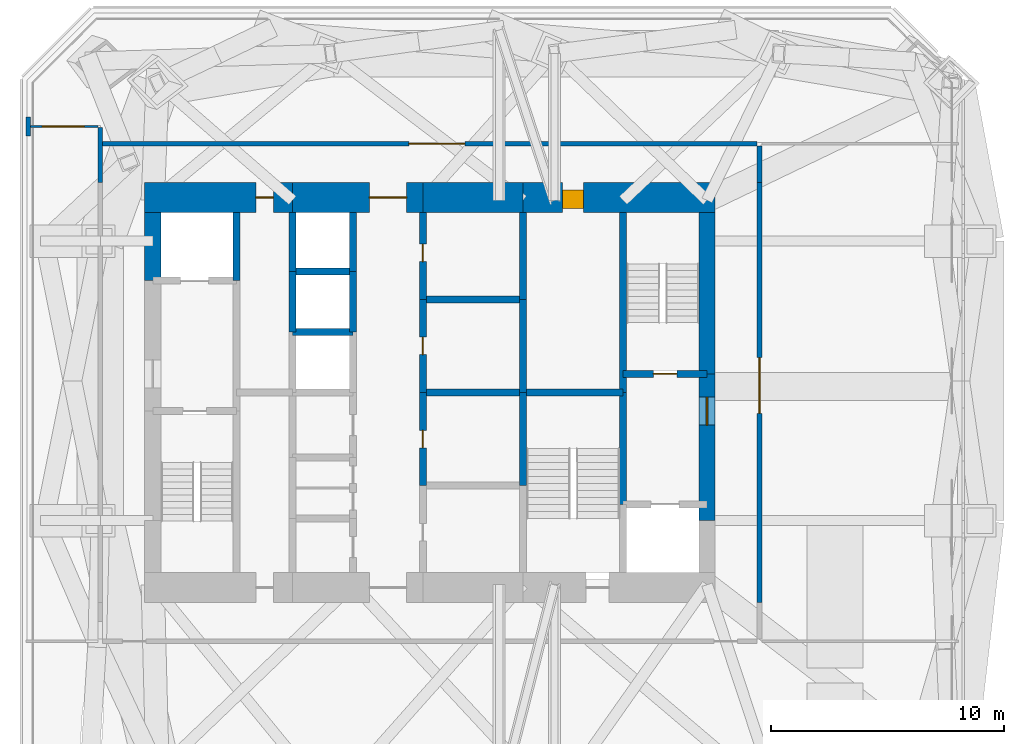
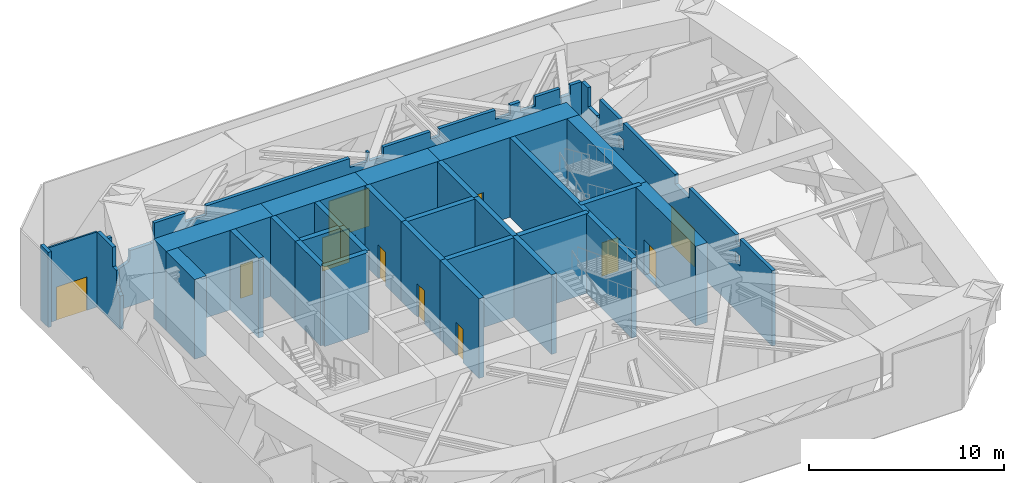
# One storey, part 5 of 9: 32 walls, 11 doors, 11 openings.
"""IFC4 building model written with IfcOpenShell, lengths in metres."""

from ifc_helpers import new_model, si_unit, direction, frame, frame_2d, origin, place, context, subcontext, project, spatial, polyline, rectangle, outline, extrude, material, layer, layer_set, constituent, constituent_set, type_object, element, fill, save


model = new_model("IFC4")

# Units and contexts
model_context = context("Model", 3, precision=1e-05, world=origin(), true_north=direction((0.0, 1.0)))
body_context = subcontext(model_context, "Body", "Model", "MODEL_VIEW")
ifc_project = project(units=[si_unit("LENGTHUNIT", "METRE"), si_unit("AREAUNIT", "SQUARE_METRE"), si_unit("VOLUMEUNIT", "CUBIC_METRE"), si_unit("PLANEANGLEUNIT", "RADIAN"), si_unit("MASSUNIT", "GRAM", prefix="KILO")], contexts=[model_context])

# Site, building, storey
site_placement = place(None, origin())
site = spatial("IfcSite", under=ifc_project, at=site_placement, CompositionType="ELEMENT")
building_placement = place(site_placement, origin())
building = spatial("IfcBuilding", under=site, at=building_placement, Name="Jalousie Tower", CompositionType="ELEMENT")
storey_placement = place(building_placement, frame((0.0, 0.0, 212.949951171875)))
storey = spatial("IfcBuildingStorey", under=building, at=storey_placement, Name="L58", CompositionType="ELEMENT", Elevation=212.949951171875)

# Wall, opening, door
ifc_material_1 = material(Name="Concrete f'c 120 MPa", Category="concrete")
ifc_layer_1 = layer(ifc_material_1, 1.300048828125)
ifc_layer_set_1 = layer_set([ifc_layer_1], Name="Concrete f'c 120 MPa")
wall_type_1 = type_object("IfcWallType", Name="CORE WALL 1300", PredefinedType="SHEAR", material=ifc_layer_set_1)
wall_1_placement = place(storey_placement, frame((44.14990234375, 26.875, 0.0), z_axis=(0.0, 0.0, 1.0), x_axis=(-1.0, 0.0, 0.0)))
wall_1 = element("IfcWall", 1, at=wall_1_placement, inside=storey, type_object=wall_type_1, Name="Core wall NA L58", PredefinedType="SHEAR", context=body_context, shape_type="SweptSolid", body=[
    extrude(rectangle(XDim=8.25, YDim=1.300048828125, at=frame_2d((4.125, 0.0))), origin(), (0.0, 0.0, 1.0), 5.0),
])
opening_1_placement = place(wall_1_placement, frame((5.64990234375, 0.0, 0.0)))
opening_1 = element("IfcOpeningElement", 2, at=opening_1_placement, cuts=wall_1, Name="Opening D18", PredefinedType="OPENING", context=body_context, shape_type="SweptSolid", body=[
    extrude(rectangle(XDim=0.89990234375, YDim=2.10009765625, at=frame_2d((0.449951171875, 1.050048828125))), frame((0.0, 0.659912109375, 0.0), z_axis=(0.0, -1.0, 0.0), x_axis=(1.0, 0.0, 0.0)), (0.0, 0.0, 1.0), 1.320068359375),
])
ifc_material_2 = material(Name="Steel fire door", Category="steel")
door_type_1 = type_object("IfcDoorType", Name="CLEANER'S STORE DOOR 900", OperationType="SINGLE_SWING_LEFT", PredefinedType="DOOR", material=ifc_material_2)
door_1_placement = place(opening_1_placement, origin())
door_1 = element("IfcDoor", 3, at=door_1_placement, inside=storey, type_object=door_type_1, Name="Cleaner's store door", OperationType="SINGLE_SWING_RIGHT", OverallHeight=2.10009765625, OverallWidth=0.89990234375, PredefinedType="DOOR", context=body_context, shape_type="SweptSolid", body=[
    extrude(rectangle(XDim=0.89990234375, YDim=2.10009765625, at=frame_2d((0.449951171875, 1.050048828125))), frame((0.0, 0.47021484375, 0.0), z_axis=(0.0, -1.0, 0.0), x_axis=(1.0, 0.0, 0.0)), (0.0, 0.0, 1.0), 0.800048828125),
])
fill(opening_1, door_1)

# Wall
wall_2_placement = place(storey_placement, frame((35.89990234375, 26.875, 0.0), z_axis=(0.0, 0.0, 1.0), x_axis=(-1.0, 0.0, 0.0)))
element("IfcWall", 4, at=wall_2_placement, inside=storey, type_object=wall_type_1, Name="Core wall NB L58", PredefinedType="SHEAR", context=body_context, shape_type="SweptSolid", body=[
    extrude(rectangle(XDim=4.2998046875, YDim=1.300048828125, at=frame_2d((2.14990234375, 0.0))), origin(), (0.0, 0.0, 1.0), 5.0),
])

# Wall, opening, door
wall_3_placement = place(storey_placement, frame((31.60009765625, 26.875, 0.0), z_axis=(0.0, 0.0, 1.0), x_axis=(-1.0, 0.0, 0.0)))
wall_3 = element("IfcWall", 5, at=wall_3_placement, inside=storey, type_object=wall_type_1, Name="Core wall NC L58", PredefinedType="SHEAR", context=body_context, shape_type="SweptSolid", body=[
    extrude(rectangle(XDim=5.60009765625, YDim=1.300048828125, at=frame_2d((2.800048828125, 0.0))), origin(), (0.0, 0.0, 1.0), 5.0),
])
opening_2_placement = place(wall_3_placement, frame((0.699951171875, 0.0, 0.0)))
opening_2 = element("IfcOpeningElement", 6, at=opening_2_placement, cuts=wall_3, Name="Opening D15", PredefinedType="OPENING", context=body_context, shape_type="SweptSolid", body=[
    extrude(rectangle(XDim=1.60009765625, YDim=2.10009765625, at=frame_2d((0.800048828125, 1.050048828125))), frame((0.0, 0.659912109375, 0.0), z_axis=(0.0, -1.0, 0.0), x_axis=(1.0, 0.0, 0.0)), (0.0, 0.0, 1.0), 1.320068359375),
])
ifc_material_3 = material(Name="Steel fire door", Category="steel")
door_type_2 = type_object("IfcDoorType", Name="LIFT LOBBY DOOR 1600", OperationType="DOUBLE_DOOR_SINGLE_SWING", PredefinedType="DOOR", material=ifc_material_3)
door_2_placement = place(opening_2_placement, origin())
door_2 = element("IfcDoor", 7, at=door_2_placement, inside=storey, type_object=door_type_2, Name="Lift lobby north door", OperationType="DOUBLE_DOOR_SINGLE_SWING", OverallHeight=2.10009765625, OverallWidth=1.60009765625, PredefinedType="DOOR", context=body_context, shape_type="SweptSolid", body=[
    extrude(rectangle(XDim=1.60009765625, YDim=2.10009765625, at=frame_2d((0.800048828125, 1.050048828125))), frame((0.0, 0.02490234375, 0.0), z_axis=(0.0, -1.0, 0.0), x_axis=(1.0, 0.0, 0.0)), (0.0, 0.0, 1.0), 0.050048828125),
])
fill(opening_2, door_2)

wall_4_placement = place(storey_placement, frame((26.0, 26.875, 0.0), z_axis=(0.0, 0.0, 1.0), x_axis=(-1.0, 0.0, 0.0)))
wall_4 = element("IfcWall", 8, at=wall_4_placement, inside=storey, type_object=wall_type_1, Name="Core wall ND L58", PredefinedType="SHEAR", context=body_context, shape_type="SweptSolid", body=[
    extrude(rectangle(XDim=6.35009765625, YDim=1.300048828125, at=frame_2d((3.175048828125, 0.0))), origin(), (0.0, 0.0, 1.0), 5.0),
])
opening_3_placement = place(wall_4_placement, frame((0.824951171875, 0.0, 0.0)))
opening_3 = element("IfcOpeningElement", 9, at=opening_3_placement, cuts=wall_4, Name="Opening D16", PredefinedType="OPENING", context=body_context, shape_type="SweptSolid", body=[
    extrude(rectangle(XDim=0.75, YDim=2.10009765625, at=frame_2d((0.375, 1.050048828125))), frame((0.0, 0.659912109375, 0.0), z_axis=(0.0, -1.0, 0.0), x_axis=(1.0, 0.0, 0.0)), (0.0, 0.0, 1.0), 1.320068359375),
])
ifc_material_4 = material(Name="Steel fire door", Category="steel")
door_type_3 = type_object("IfcDoorType", Name="RISER DOOR 750", OperationType="SINGLE_SWING_LEFT", PredefinedType="DOOR", material=ifc_material_4)
door_3_placement = place(opening_3_placement, origin())
door_3 = element("IfcDoor", 10, at=door_3_placement, inside=storey, type_object=door_type_3, Name="North riser door", OperationType="SINGLE_SWING_RIGHT", OverallHeight=2.10009765625, OverallWidth=0.75, PredefinedType="DOOR", context=body_context, shape_type="SweptSolid", body=[
    extrude(rectangle(XDim=0.75, YDim=2.10009765625, at=frame_2d((0.375, 1.050048828125))), frame((0.0, 0.02490234375, 0.0), z_axis=(0.0, -1.0, 0.0), x_axis=(1.0, 0.0, 0.0)), (0.0, 0.0, 1.0), 0.050048828125),
])
fill(opening_3, door_3)

# Walls
ifc_material_5 = material(Name="Concrete f'c 120 MPa", Category="concrete")
ifc_layer_2 = layer(ifc_material_5, 0.300048828125)
ifc_layer_set_2 = layer_set([ifc_layer_2], Name="Concrete f'c 120 MPa")
wall_type_2 = type_object("IfcWallType", Name="CORE WALL 300", PredefinedType="SHEAR", material=ifc_layer_set_2)
wall_5_placement = place(storey_placement, frame((23.60009765625, 23.300048828125, 0.0), z_axis=(0.0, 0.0, 1.0), x_axis=(0.0, 1.0, 0.0)))
element("IfcWall", 11, at=wall_5_placement, inside=storey, type_object=wall_type_2, Name="Core wall X23.6C L58", PredefinedType="SHEAR", context=body_context, shape_type="SweptSolid", body=[
    extrude(rectangle(XDim=2.925048828125, YDim=0.300048828125, at=frame_2d((1.46240234375, 0.0))), origin(), (0.0, 0.0, 1.0), 5.0),
])
wall_6_placement = place(storey_placement, frame((26.0, 21.10009765625, 0.0), z_axis=(0.0, 0.0, 1.0), x_axis=(0.0, 1.0, 0.0)))
element("IfcWall", 12, at=wall_6_placement, inside=storey, type_object=wall_type_2, Name="Core wall X26E L58", PredefinedType="SHEAR", context=body_context, shape_type="SweptSolid", body=[
    extrude(rectangle(XDim=2.599853515625, YDim=0.300048828125, at=frame_2d((1.2998046875, 0.0))), origin(), (0.0, 0.0, 1.0), 5.0),
])
wall_7_placement = place(storey_placement, frame((26.0, 23.699951171875, 0.0), z_axis=(0.0, 0.0, 1.0), x_axis=(0.0, 1.0, 0.0)))
element("IfcWall", 13, at=wall_7_placement, inside=storey, type_object=wall_type_2, Name="Core wall X26F L58", PredefinedType="SHEAR", context=body_context, shape_type="SweptSolid", body=[
    extrude(rectangle(XDim=2.525146484375, YDim=0.300048828125, at=frame_2d((1.2626953125, 0.0))), origin(), (0.0, 0.0, 1.0), 5.0),
])
wall_8_placement = place(storey_placement, frame((28.60009765625, 21.10009765625, 0.0), z_axis=(0.0, 0.0, 1.0), x_axis=(0.0, 1.0, 0.0)))
element("IfcWall", 14, at=wall_8_placement, inside=storey, type_object=wall_type_2, Name="Core wall X28.6E L58", PredefinedType="SHEAR", context=body_context, shape_type="SweptSolid", body=[
    extrude(rectangle(XDim=2.599853515625, YDim=0.300048828125, at=frame_2d((1.2998046875, 0.0))), origin(), (0.0, 0.0, 1.0), 5.0),
])
wall_9_placement = place(storey_placement, frame((28.60009765625, 23.699951171875, 0.0), z_axis=(0.0, 0.0, 1.0), x_axis=(0.0, 1.0, 0.0)))
element("IfcWall", 15, at=wall_9_placement, inside=storey, type_object=wall_type_2, Name="Core wall X28.6F L58", PredefinedType="SHEAR", context=body_context, shape_type="SweptSolid", body=[
    extrude(rectangle(XDim=2.525146484375, YDim=0.300048828125, at=frame_2d((1.2626953125, 0.0))), origin(), (0.0, 0.0, 1.0), 5.0),
])

# Wall, opening, door
wall_10_placement = place(storey_placement, frame((31.60009765625, 14.5, 0.0), z_axis=(0.0, 0.0, 1.0), x_axis=(0.0, 1.0, 0.0)))
wall_10 = element("IfcWall", 16, at=wall_10_placement, inside=storey, type_object=wall_type_2, Name="Core wall X31.6B L58", PredefinedType="SHEAR", context=body_context, shape_type="SweptSolid", body=[
    extrude(rectangle(XDim=4.0, YDim=0.300048828125, at=frame_2d((2.0, 0.0))), origin(), (0.0, 0.0, 1.0), 5.0),
])
opening_4_placement = place(wall_10_placement, frame((1.625, 0.0, 0.0)))
opening_4 = element("IfcOpeningElement", 17, at=opening_4_placement, cuts=wall_10, Name="Opening D16", PredefinedType="OPENING", context=body_context, shape_type="SweptSolid", body=[
    extrude(rectangle(XDim=0.75, YDim=2.10009765625, at=frame_2d((0.375, 1.050048828125))), frame((0.0, 0.159912109375, 0.0), z_axis=(0.0, -1.0, 0.0), x_axis=(1.0, 0.0, 0.0)), (0.0, 0.0, 1.0), 0.320068359375),
])
door_4_placement = place(opening_4_placement, frame((0.75, 0.0, 0.0), z_axis=(0.0, 0.0, 1.0), x_axis=(-1.0, 0.0, 0.0)))
door_4 = element("IfcDoor", 18, at=door_4_placement, inside=storey, type_object=door_type_3, Name="Electrical Room door", OperationType="SINGLE_SWING_RIGHT", OverallHeight=2.10009765625, OverallWidth=0.75, PredefinedType="DOOR", context=body_context, shape_type="SweptSolid", body=[
    extrude(rectangle(XDim=0.75, YDim=2.10009765625, at=frame_2d((0.375, 1.050048828125))), frame((0.0, 0.02490234375, 0.0), z_axis=(0.0, -1.0, 0.0), x_axis=(1.0, 0.0, 0.0)), (0.0, 0.0, 1.0), 0.050048828125),
])
fill(opening_4, door_4)

wall_11_placement = place(storey_placement, frame((31.60009765625, 18.5, 0.0), z_axis=(0.0, 0.0, 1.0), x_axis=(0.0, 1.0, 0.0)))
wall_11 = element("IfcWall", 19, at=wall_11_placement, inside=storey, type_object=wall_type_2, Name="Core wall X31.6C L58", PredefinedType="SHEAR", context=body_context, shape_type="SweptSolid", body=[
    extrude(rectangle(XDim=4.0, YDim=0.300048828125, at=frame_2d((2.0, 0.0))), origin(), (0.0, 0.0, 1.0), 5.0),
])
opening_5_placement = place(wall_11_placement, frame((1.625, 0.0, 0.0)))
opening_5 = element("IfcOpeningElement", 20, at=opening_5_placement, cuts=wall_11, Name="Opening D16", PredefinedType="OPENING", context=body_context, shape_type="SweptSolid", body=[
    extrude(rectangle(XDim=0.75, YDim=2.10009765625, at=frame_2d((0.375, 1.050048828125))), frame((0.0, 0.159912109375, 0.0), z_axis=(0.0, -1.0, 0.0), x_axis=(1.0, 0.0, 0.0)), (0.0, 0.0, 1.0), 0.320068359375),
])
door_5_placement = place(opening_5_placement, frame((0.75, 0.0, 0.0), z_axis=(0.0, 0.0, 1.0), x_axis=(-1.0, 0.0, 0.0)))
door_5 = element("IfcDoor", 21, at=door_5_placement, inside=storey, type_object=door_type_3, Name="Telecom Room door", OperationType="SINGLE_SWING_RIGHT", OverallHeight=2.10009765625, OverallWidth=0.75, PredefinedType="DOOR", context=body_context, shape_type="SweptSolid", body=[
    extrude(rectangle(XDim=0.75, YDim=2.10009765625, at=frame_2d((0.375, 1.050048828125))), frame((0.0, 0.02490234375, 0.0), z_axis=(0.0, -1.0, 0.0), x_axis=(1.0, 0.0, 0.0)), (0.0, 0.0, 1.0), 0.050048828125),
])
fill(opening_5, door_5)

wall_12_placement = place(storey_placement, frame((31.60009765625, 22.5, 0.0), z_axis=(0.0, 0.0, 1.0), x_axis=(0.0, 1.0, 0.0)))
wall_12 = element("IfcWall", 22, at=wall_12_placement, inside=storey, type_object=wall_type_2, Name="Core wall X31.6D L58", PredefinedType="SHEAR", context=body_context, shape_type="SweptSolid", body=[
    extrude(rectangle(XDim=3.72509765625, YDim=0.300048828125, at=frame_2d((1.862548828125, 0.0))), origin(), (0.0, 0.0, 1.0), 5.0),
])
opening_6_placement = place(wall_12_placement, frame((1.625, 0.0, 0.0)))
opening_6 = element("IfcOpeningElement", 23, at=opening_6_placement, cuts=wall_12, Name="Opening D16", PredefinedType="OPENING", context=body_context, shape_type="SweptSolid", body=[
    extrude(rectangle(XDim=0.75, YDim=2.10009765625, at=frame_2d((0.375, 1.050048828125))), frame((0.0, 0.159912109375, 0.0), z_axis=(0.0, -1.0, 0.0), x_axis=(1.0, 0.0, 0.0)), (0.0, 0.0, 1.0), 0.320068359375),
])
door_6_placement = place(opening_6_placement, frame((0.75, 0.0, 0.0), z_axis=(0.0, 0.0, 1.0), x_axis=(-1.0, 0.0, 0.0)))
door_6 = element("IfcDoor", 24, at=door_6_placement, inside=storey, type_object=door_type_3, Name="Water Services Room door", OperationType="SINGLE_SWING_LEFT", OverallHeight=2.10009765625, OverallWidth=0.75, PredefinedType="DOOR", context=body_context, shape_type="SweptSolid", body=[
    extrude(rectangle(XDim=0.75, YDim=2.10009765625, at=frame_2d((0.375, 1.050048828125))), frame((0.0, 0.02490234375, 0.0), z_axis=(0.0, -1.0, 0.0), x_axis=(1.0, 0.0, 0.0)), (0.0, 0.0, 1.0), 0.050048828125),
])
fill(opening_6, door_6)

# Walls
for number, where, z_axis, x_axis, name in (
    (25, (35.89990234375, 14.5, 0.0), (0.0, 0.0, 1.0), (0.0, 1.0, 0.0), "Core wall X35.9B L58"),
    (26, (35.89990234375, 18.5, 0.0), (0.0, 0.0, 1.0), (0.0, 1.0, 0.0), "Core wall X35.9C L58"),
):
    element("IfcWall", number, at=place(storey_placement, frame(where, z_axis=z_axis, x_axis=x_axis)), inside=storey, type_object=wall_type_2, Name=name, PredefinedType="SHEAR", context=body_context, shape_type="SweptSolid", body=[
        extrude(rectangle(XDim=4.0, YDim=0.300048828125, at=frame_2d((2.0, 0.0))), origin(), (0.0, 0.0, 1.0), 5.0),
    ])
wall_13_placement = place(storey_placement, frame((35.89990234375, 22.5, 0.0), z_axis=(0.0, 0.0, 1.0), x_axis=(0.0, 1.0, 0.0)))
element("IfcWall", 27, at=wall_13_placement, inside=storey, type_object=wall_type_2, Name="Core wall X35.9D L58", PredefinedType="SHEAR", context=body_context, shape_type="SweptSolid", body=[
    extrude(rectangle(XDim=3.72509765625, YDim=0.300048828125, at=frame_2d((1.862548828125, 0.0))), origin(), (0.0, 0.0, 1.0), 5.0),
])
wall_14_placement = place(storey_placement, frame((40.199951171875, 13.699951171875, 0.0), z_axis=(0.0, 0.0, 1.0), x_axis=(0.0, 1.0, 0.0)))
element("IfcWall", 28, at=wall_14_placement, inside=storey, type_object=wall_type_2, Name="Core wall X40.2B L58", PredefinedType="SHEAR", context=body_context, shape_type="SweptSolid", body=[
    extrude(rectangle(XDim=4.800048828125, YDim=0.300048828125, at=frame_2d((2.39990234375, 0.0))), origin(), (0.0, 0.0, 1.0), 5.0),
])
wall_15_placement = place(storey_placement, frame((40.199951171875, 18.5, 0.0), z_axis=(0.0, 0.0, 1.0), x_axis=(0.0, 1.0, 0.0)))
element("IfcWall", 29, at=wall_15_placement, inside=storey, type_object=wall_type_2, Name="Core wall X40.2C L58", PredefinedType="SHEAR", context=body_context, shape_type="SweptSolid", body=[
    extrude(rectangle(XDim=7.72509765625, YDim=0.300048828125, at=frame_2d((3.862548828125, 0.0))), origin(), (0.0, 0.0, 1.0), 5.0),
])
for number, where, z_axis, x_axis, name in (
    (30, (26.0, 21.10009765625, 0.0), (0.0, 0.0, 1.0), (1.0, 0.0, 0.0), "Core wall Y26-21.1 L58"),
    (31, (26.0, 23.699951171875, 0.0), (0.0, 0.0, 1.0), (1.0, 0.0, 0.0), "Core wall Y26-23.7 L58"),
):
    element("IfcWall", number, at=place(storey_placement, frame(where, z_axis=z_axis, x_axis=x_axis)), inside=storey, type_object=wall_type_2, Name=name, PredefinedType="SHEAR", context=body_context, shape_type="SweptSolid", body=[
        extrude(rectangle(XDim=2.60009765625, YDim=0.300048828125, at=frame_2d((1.300048828125, 0.0))), origin(), (0.0, 0.0, 1.0), 5.0),
    ])
for number, where, z_axis, x_axis, name in (
    (32, (31.60009765625, 18.5, 0.0), (0.0, 0.0, 1.0), (1.0, 0.0, 0.0), "Core wall Y31.6-18.5 L58"),
    (33, (31.60009765625, 22.5, 0.0), (0.0, 0.0, 1.0), (1.0, 0.0, 0.0), "Core wall Y31.6-22.5 L58"),
):
    element("IfcWall", number, at=place(storey_placement, frame(where, z_axis=z_axis, x_axis=x_axis)), inside=storey, type_object=wall_type_2, Name=name, PredefinedType="SHEAR", context=body_context, shape_type="SweptSolid", body=[
        extrude(rectangle(XDim=4.2998046875, YDim=0.300048828125, at=frame_2d((2.14990234375, 0.0))), origin(), (0.0, 0.0, 1.0), 5.0),
    ])
wall_16_placement = place(storey_placement, frame((35.89990234375, 18.5, 0.0), z_axis=(0.0, 0.0, 1.0), x_axis=(1.0, 0.0, 0.0)))
element("IfcWall", 34, at=wall_16_placement, inside=storey, type_object=wall_type_2, Name="Core wall Y35.9-18.5 L58", PredefinedType="SHEAR", context=body_context, shape_type="SweptSolid", body=[
    extrude(rectangle(XDim=4.300048828125, YDim=0.300048828125, at=frame_2d((2.14990234375, 0.0))), origin(), (0.0, 0.0, 1.0), 5.0),
])

# Wall, opening, door
wall_17_placement = place(storey_placement, frame((40.199951171875, 19.300048828125, 0.0), z_axis=(0.0, 0.0, 1.0), x_axis=(1.0, 0.0, 0.0)))
wall_17 = element("IfcWall", 35, at=wall_17_placement, inside=storey, type_object=wall_type_2, Name="Core wall Y40.2-19.3 L58", PredefinedType="SHEAR", context=body_context, shape_type="SweptSolid", body=[
    extrude(rectangle(XDim=3.60009765625, YDim=0.300048828125, at=frame_2d((1.800048828125, 0.0))), origin(), (0.0, 0.0, 1.0), 5.0),
])
opening_7_placement = place(wall_17_placement, frame((1.300048828125, 0.0, 0.0)))
opening_7 = element("IfcOpeningElement", 36, at=opening_7_placement, cuts=wall_17, Name="Opening D10", PredefinedType="OPENING", context=body_context, shape_type="SweptSolid", body=[
    extrude(rectangle(XDim=1.0, YDim=2.10009765625, at=frame_2d((0.5, 1.050048828125))), frame((0.0, 0.159912109375, 0.0), z_axis=(0.0, -1.0, 0.0), x_axis=(1.0, 0.0, 0.0)), (0.0, 0.0, 1.0), 0.320068359375),
])
ifc_material_6 = material(Name="Steel fire door", Category="steel")
door_type_4 = type_object("IfcDoorType", Name="STAIR DOOR 1000", OperationType="SINGLE_SWING_LEFT", PredefinedType="DOOR", material=ifc_material_6)
door_7_placement = place(opening_7_placement, origin())
door_7 = element("IfcDoor", 37, at=door_7_placement, inside=storey, type_object=door_type_4, Name="Exit stair B door", OperationType="SINGLE_SWING_RIGHT", OverallHeight=2.10009765625, OverallWidth=1.0, PredefinedType="DOOR", context=body_context, shape_type="SweptSolid", body=[
    extrude(rectangle(XDim=1.0, YDim=2.10009765625, at=frame_2d((0.5, 1.050048828125))), frame((0.0, 0.02490234375, 0.0), z_axis=(0.0, -1.0, 0.0), x_axis=(1.0, 0.0, 0.0)), (0.0, 0.0, 1.0), 0.050048828125),
])
fill(opening_7, door_7)

# Wall
ifc_material_7 = material(Name="Concrete f'c 120 MPa", Category="concrete")
ifc_layer_3 = layer(ifc_material_7, 0.699951171875)
ifc_layer_set_3 = layer_set([ifc_layer_3], Name="Concrete f'c 120 MPa")
wall_type_3 = type_object("IfcWallType", Name="CORE WALL 700", PredefinedType="SHEAR", material=ifc_layer_set_3)
wall_18_placement = place(storey_placement, frame((20.0, 26.22509765625, 0.0), z_axis=(0.0, 0.0, 1.0), x_axis=(0.0, -1.0, 0.0)))
element("IfcWall", 38, at=wall_18_placement, inside=storey, type_object=wall_type_3, Name="Core wall WA L58", PredefinedType="SHEAR", context=body_context, shape_type="SweptSolid", body=[
    extrude(rectangle(XDim=2.925048828125, YDim=0.699951171875, at=frame_2d((1.46240234375, 0.0))), origin(), (0.0, 0.0, 1.0), 5.0),
])

# Wall, opening, door
wall_19_placement = place(storey_placement, frame((43.800048828125, 13.0, 0.0), z_axis=(0.0, 0.0, 1.0), x_axis=(0.0, 1.0, 0.0)))
wall_19 = element("IfcWall", 39, at=wall_19_placement, inside=storey, type_object=wall_type_3, Name="Core wall EB L58", PredefinedType="SHEAR", context=body_context, shape_type="SweptSolid", body=[
    extrude(rectangle(XDim=6.300048828125, YDim=0.699951171875, at=frame_2d((3.14990234375, 0.0))), origin(), (0.0, 0.0, 1.0), 5.0),
])
opening_8_placement = place(wall_19_placement, frame((4.10009765625, 0.0, 0.0)))
opening_8 = element("IfcOpeningElement", 40, at=opening_8_placement, cuts=wall_19, Name="Opening D11", PredefinedType="OPENING", context=body_context, shape_type="SweptSolid", body=[
    extrude(rectangle(XDim=1.199951171875, YDim=2.199951171875, at=frame_2d((0.60009765625, 1.10009765625))), frame((0.0, 0.35986328125, 0.0), z_axis=(0.0, -1.0, 0.0), x_axis=(1.0, 0.0, 0.0)), (0.0, 0.0, 1.0), 0.719970703125),
])
ifc_material_8 = material(Name="Steel fire door", Category="steel")
door_type_5 = type_object("IfcDoorType", Name="FIRE DOOR 1200", OperationType="SINGLE_SWING_LEFT", PredefinedType="DOOR", material=ifc_material_8)
door_8_placement = place(opening_8_placement, origin())
door_8 = element("IfcDoor", 41, at=door_8_placement, inside=storey, type_object=door_type_5, Name="Fire-fighting lobby B door", OperationType="SINGLE_SWING_RIGHT", OverallHeight=2.199951171875, OverallWidth=1.199951171875, PredefinedType="DOOR", context=body_context, shape_type="SweptSolid", body=[
    extrude(rectangle(XDim=1.199951171875, YDim=2.199951171875, at=frame_2d((0.60009765625, 1.10009765625))), frame((0.0, 0.02490234375, 0.0), z_axis=(0.0, -1.0, 0.0), x_axis=(1.0, 0.0, 0.0)), (0.0, 0.0, 1.0), 0.050048828125),
])
fill(opening_8, door_8)

# Wall
wall_20_placement = place(storey_placement, frame((43.800048828125, 19.300048828125, 0.0), z_axis=(0.0, 0.0, 1.0), x_axis=(0.0, 1.0, 0.0)))
element("IfcWall", 42, at=wall_20_placement, inside=storey, type_object=wall_type_3, Name="Core wall EC L58", PredefinedType="SHEAR", context=body_context, shape_type="SweptSolid", body=[
    extrude(rectangle(XDim=6.925048828125, YDim=0.699951171875, at=frame_2d((3.46240234375, 0.0))), origin(), (0.0, 0.0, 1.0), 5.0),
])

# Wall, opening, door
ifc_material_9 = material(Name="Concrete block ASTM C90", Category="concrete")
ifc_constituent_1 = constituent(ifc_material_9, Name="Body")
ifc_material_10 = material(Name="Render")
ifc_constituent_2 = constituent(ifc_material_10, Name="Finish")
ifc_constituent_set_1 = constituent_set(constituents=[ifc_constituent_1, ifc_constituent_2])
wall_type_4 = type_object("IfcWallType", Name="CORRIDOR WALL 200", PredefinedType="PARTITIONING", material=ifc_constituent_set_1)
wall_21_placement = place(storey_placement, frame((17.85009765625, 29.175048828125, 0.0), z_axis=(0.0, 0.0, 1.0), x_axis=(1.0, 0.0, 0.0)))
wall_21 = element("IfcWall", 43, at=wall_21_placement, inside=storey, type_object=wall_type_4, Name="Corridor Wall 200 L58", PredefinedType="PARTITIONING", context=body_context, shape_type="SweptSolid", body=[
    extrude(outline(polyline([(0.229736328125, 4.719970703125), (0.0, 4.719970703125), (0.0, 0.0), (28.10009765625, 0.0), (28.10009765625, 4.719970703125), (27.4453125, 4.719970703125), (27.4453125, 4.140869140625), (26.822021484375, 4.140869140625), (26.822021484375, 4.719970703125), (25.369384765625, 4.719970703125), (25.369384765625, 4.140869140625), (24.46923828125, 4.140869140625), (24.46923828125, 4.719970703125), (23.87353515625, 4.719970703125), (23.87353515625, 4.140869140625), (22.984130859375, 4.140869140625), (22.984130859375, 4.719970703125), (19.656494140625, 4.719970703125), (19.656494140625, 4.2451171875), (19.1435546875, 4.2451171875), (19.1435546875, 4.719970703125), (16.331787109375, 4.719970703125), (16.331787109375, 4.140869140625), (15.517822265625, 4.140869140625), (15.517822265625, 4.719970703125), (15.385986328125, 4.719970703125), (15.385986328125, 4.140869140625), (14.343505859375, 4.140869140625), (14.343505859375, 4.719970703125), (5.839111328125, 4.719970703125), (5.839111328125, 4.140869140625), (4.59326171875, 4.140869140625), (4.59326171875, 4.719970703125), (2.754150390625, 4.719970703125), (2.754150390625, 3.52001953125), (2.590576171875, 3.52001953125), (2.590576171875, 3.5), (1.301513671875, 3.5), (1.301513671875, 3.045654296875), (1.220947265625, 2.80859375), (0.34326171875, 2.463134765625), (0.34326171875, 3.5), (0.229736328125, 3.5), (0.229736328125, 4.719970703125)]), holes=[polyline([(18.386962890625, 3.08251953125), (18.9033203125, 3.186767578125), (18.9033203125, 2.666015625), (18.835205078125, 2.5224609375), (18.31884765625, 2.41845703125), (18.31884765625, 2.93896484375), (18.386962890625, 3.08251953125)])]), frame((0.0, 0.10009765625, 0.0), z_axis=(0.0, -1.0, 0.0), x_axis=(1.0, 0.0, 0.0)), (0.0, 0.0, 1.0), 0.199951171875),
])
opening_9_placement = place(wall_21_placement, frame((13.14990234375, 0.0, 0.0)))
opening_9 = element("IfcOpeningElement", 44, at=opening_9_placement, cuts=wall_21, Name="Opening D9", PredefinedType="OPENING", context=body_context, shape_type="SweptSolid", body=[
    extrude(rectangle(XDim=2.39990234375, YDim=2.39990234375, at=frame_2d((1.199951171875, 1.199951171875))), frame((0.0, 0.10986328125, 0.0), z_axis=(0.0, -1.0, 0.0), x_axis=(1.0, 0.0, 0.0)), (0.0, 0.0, 1.0), 0.219970703125),
])
ifc_material_11 = material(Name="Steel fire door", Category="steel")
door_type_6 = type_object("IfcDoorType", Name="PLANT DOOR 2400", OperationType="DOUBLE_DOOR_SINGLE_SWING", PredefinedType="DOOR", material=ifc_material_11)
door_9_placement = place(opening_9_placement, origin())
door_9 = element("IfcDoor", 45, at=door_9_placement, inside=storey, type_object=door_type_6, Name="Pump room door", OperationType="DOUBLE_DOOR_SINGLE_SWING", OverallHeight=2.39990234375, OverallWidth=2.39990234375, PredefinedType="DOOR", context=body_context, shape_type="SweptSolid", body=[
    extrude(rectangle(XDim=2.39990234375, YDim=2.39990234375, at=frame_2d((1.199951171875, 1.199951171875))), frame((0.0, 0.02490234375, 0.0), z_axis=(0.0, -1.0, 0.0), x_axis=(1.0, 0.0, 0.0)), (0.0, 0.0, 1.0), 0.050048828125),
])
fill(opening_9, door_9)

# Walls
wall_22_placement = place(storey_placement, frame((17.75, 27.52490234375, 0.0), z_axis=(0.0, 0.0, 1.0), x_axis=(0.0, 1.0, 0.0)))
element("IfcWall", 46, at=wall_22_placement, inside=storey, type_object=wall_type_4, Name="Corridor Wall 200 L58", PredefinedType="PARTITIONING", context=body_context, shape_type="SweptSolid", body=[
    extrude(outline(polyline([(0.0, 0.0), (2.35009765625, 0.0), (2.35009765625, 4.719970703125), (0.73828125, 4.719970703125), (0.73828125, 3.5), (0.372802734375, 3.5), (0.372802734375, 2.5009765625), (0.182861328125, 2.221435546875), (0.0, 2.095703125), (0.0, 0.0)])), frame((0.0, 0.10009765625, 0.0), z_axis=(0.0, -1.0, 0.0), x_axis=(1.0, 0.0, 0.0)), (0.0, 0.0, 1.0), 0.199951171875),
])
wall_23_placement = place(storey_placement, frame((46.050048828125, 27.52490234375, 0.0), z_axis=(0.0, 0.0, 1.0), x_axis=(0.0, 1.0, 0.0)))
element("IfcWall", 47, at=wall_23_placement, inside=storey, type_object=wall_type_4, Name="Corridor Wall 200 L58", PredefinedType="PARTITIONING", context=body_context, shape_type="SweptSolid", body=[
    extrude(outline(polyline([(0.0, 0.0), (1.550048828125, 0.0), (1.550048828125, 4.719970703125), (0.9091796875, 4.719970703125), (0.9091796875, 3.52001953125), (0.0, 3.52001953125), (0.0, 0.0)])), frame((0.0, 0.10009765625, 0.0), z_axis=(0.0, -1.0, 0.0), x_axis=(1.0, 0.0, 0.0)), (0.0, 0.0, 1.0), 0.199951171875),
])

# Wall, opening, door
wall_24_placement = place(storey_placement, frame((46.050048828125, 9.47509765625, 0.0), z_axis=(0.0, 0.0, 1.0), x_axis=(0.0, 1.0, 0.0)))
wall_24 = element("IfcWall", 48, at=wall_24_placement, inside=storey, type_object=wall_type_4, Name="Corridor Wall 200 L58", PredefinedType="PARTITIONING", context=body_context, shape_type="SweptSolid", body=[
    extrude(outline(polyline([(3.31298828125, 4.719970703125), (0.0, 4.719970703125), (0.0, 0.0), (18.050048828125, 0.0), (18.050048828125, 3.52001953125), (17.75341796875, 3.52001953125), (17.75341796875, 4.719970703125), (15.737060546875, 4.719970703125), (15.737060546875, 4.2451171875), (15.31298828125, 4.2451171875), (15.31298828125, 4.719970703125), (9.985107421875, 4.719970703125), (9.985107421875, 4.1201171875), (8.56494140625, 4.1201171875), (8.56494140625, 4.719970703125), (3.737060546875, 4.719970703125), (3.737060546875, 4.2451171875), (3.31298828125, 4.2451171875), (3.31298828125, 4.719970703125)]), holes=[polyline([(3.302978515625, 3.031982421875), (3.302978515625, 3.68310546875), (3.7470703125, 3.68310546875), (3.7470703125, 3.031982421875), (3.302978515625, 3.031982421875)]), polyline([(15.302978515625, 3.031982421875), (15.302978515625, 3.68310546875), (15.7470703125, 3.68310546875), (15.7470703125, 3.031982421875), (15.302978515625, 3.031982421875)])]), frame((0.0, 0.10009765625, 0.0), z_axis=(0.0, -1.0, 0.0), x_axis=(1.0, 0.0, 0.0)), (0.0, 0.0, 1.0), 0.199951171875),
])
opening_10_placement = place(wall_24_placement, frame((8.125, 0.0, 0.0)))
opening_10 = element("IfcOpeningElement", 49, at=opening_10_placement, cuts=wall_24, Name="Opening D9", PredefinedType="OPENING", context=body_context, shape_type="SweptSolid", body=[
    extrude(rectangle(XDim=2.39990234375, YDim=2.39990234375, at=frame_2d((1.199951171875, 1.199951171875))), frame((0.0, 0.10986328125, 0.0), z_axis=(0.0, -1.0, 0.0), x_axis=(1.0, 0.0, 0.0)), (0.0, 0.0, 1.0), 0.219970703125),
])
door_10_placement = place(opening_10_placement, frame((2.39990234375, 0.0, 0.0), z_axis=(0.0, 0.0, 1.0), x_axis=(-1.0, 0.0, 0.0)))
door_10 = element("IfcDoor", 50, at=door_10_placement, inside=storey, type_object=door_type_6, Name="Water tank room door", OperationType="DOUBLE_DOOR_SINGLE_SWING", OverallHeight=2.39990234375, OverallWidth=2.39990234375, PredefinedType="DOOR", context=body_context, shape_type="SweptSolid", body=[
    extrude(rectangle(XDim=2.39990234375, YDim=2.39990234375, at=frame_2d((1.199951171875, 1.199951171875))), frame((0.0, 0.02490234375, 0.0), z_axis=(0.0, -1.0, 0.0), x_axis=(1.0, 0.0, 0.0)), (0.0, 0.0, 1.0), 0.050048828125),
])
fill(opening_10, door_10)

ifc_material_12 = material(Name="Type X gypsum board", Category="gypsum")
ifc_constituent_3 = constituent(ifc_material_12, Name="Body")
ifc_material_13 = material(Name="Light-gauge steel studs ASTM A653 SS Grade 33", Category="steel")
ifc_constituent_4 = constituent(ifc_material_13, Name="Framing")
ifc_constituent_set_2 = constituent_set(constituents=[ifc_constituent_3, ifc_constituent_4])
wall_type_5 = type_object("IfcWallType", Name="FIRE PARTITION 100", PredefinedType="PARTITIONING", material=ifc_constituent_set_2)
wall_25_placement = place(storey_placement, frame((14.550048828125, 29.925048828125, 0.0), z_axis=(0.0, 0.0, 1.0), x_axis=(1.0, 0.0, 0.0)))
wall_25 = element("IfcWall", 51, at=wall_25_placement, inside=storey, type_object=wall_type_5, Name="Fire Partition 100 L58", PredefinedType="PARTITIONING", context=body_context, shape_type="SweptSolid", body=[
    extrude(rectangle(XDim=3.099853515625, YDim=0.10009765625, at=frame_2d((1.5498046875, 0.0))), origin(), (0.0, 0.0, 1.0), 4.719970703125),
])
opening_11_placement = place(wall_25_placement, frame((0.699951171875, 0.0, 0.0)))
opening_11 = element("IfcOpeningElement", 52, at=opening_11_placement, cuts=wall_25, Name="Opening D12", PredefinedType="OPENING", context=body_context, shape_type="SweptSolid", body=[
    extrude(rectangle(XDim=1.800048828125, YDim=2.10009765625, at=frame_2d((0.89990234375, 1.050048828125))), frame((0.0, 0.06005859375, 0.0), z_axis=(0.0, -1.0, 0.0), x_axis=(1.0, 0.0, 0.0)), (0.0, 0.0, 1.0), 0.1201171875),
])
ifc_material_14 = material(Name="Steel fire door", Category="steel")
door_type_7 = type_object("IfcDoorType", Name="FIRE DOOR 1800", OperationType="DOUBLE_DOOR_SINGLE_SWING", PredefinedType="DOOR", material=ifc_material_14)
door_11_placement = place(opening_11_placement, frame((1.800048828125, 0.0, 0.0), z_axis=(0.0, 0.0, 1.0), x_axis=(-1.0, 0.0, 0.0)))
door_11 = element("IfcDoor", 53, at=door_11_placement, inside=storey, type_object=door_type_7, Name="Air handling plant room door", OperationType="DOUBLE_DOOR_SINGLE_SWING", OverallHeight=2.10009765625, OverallWidth=1.800048828125, PredefinedType="DOOR", context=body_context, shape_type="SweptSolid", body=[
    extrude(rectangle(XDim=1.800048828125, YDim=2.10009765625, at=frame_2d((0.89990234375, 1.050048828125))), frame((0.0, 0.02490234375, 0.0), z_axis=(0.0, -1.0, 0.0), x_axis=(1.0, 0.0, 0.0)), (0.0, 0.0, 1.0), 0.050048828125),
])
fill(opening_11, door_11)

# Wall
ifc_material_15 = material(Name="Concrete block ASTM C90", Category="concrete")
ifc_constituent_5 = constituent(ifc_material_15, Name="Body")
ifc_material_16 = material(Name="Render")
ifc_constituent_6 = constituent(ifc_material_16, Name="Finish")
ifc_constituent_set_3 = constituent_set(constituents=[ifc_constituent_5, ifc_constituent_6])
wall_type_6 = type_object("IfcWallType", Name="PLANT DECK PIER 200", PredefinedType="SOLIDWALL", material=ifc_constituent_set_3)
wall_26_placement = place(storey_placement, frame((14.64990234375, 29.52490234375, 0.0), z_axis=(0.0, 0.0, 1.0), x_axis=(0.0, 1.0, 0.0)))
element("IfcWall", 54, at=wall_26_placement, inside=storey, type_object=wall_type_6, Name="Plant Deck Pier 200 L58", PredefinedType="SOLIDWALL", context=body_context, shape_type="SweptSolid", body=[
    extrude(rectangle(XDim=0.800048828125, YDim=0.199951171875, at=frame_2d((0.39990234375, 0.0))), origin(), (0.0, 0.0, 1.0), 4.719970703125),
])

save(model, "model.ifc")
